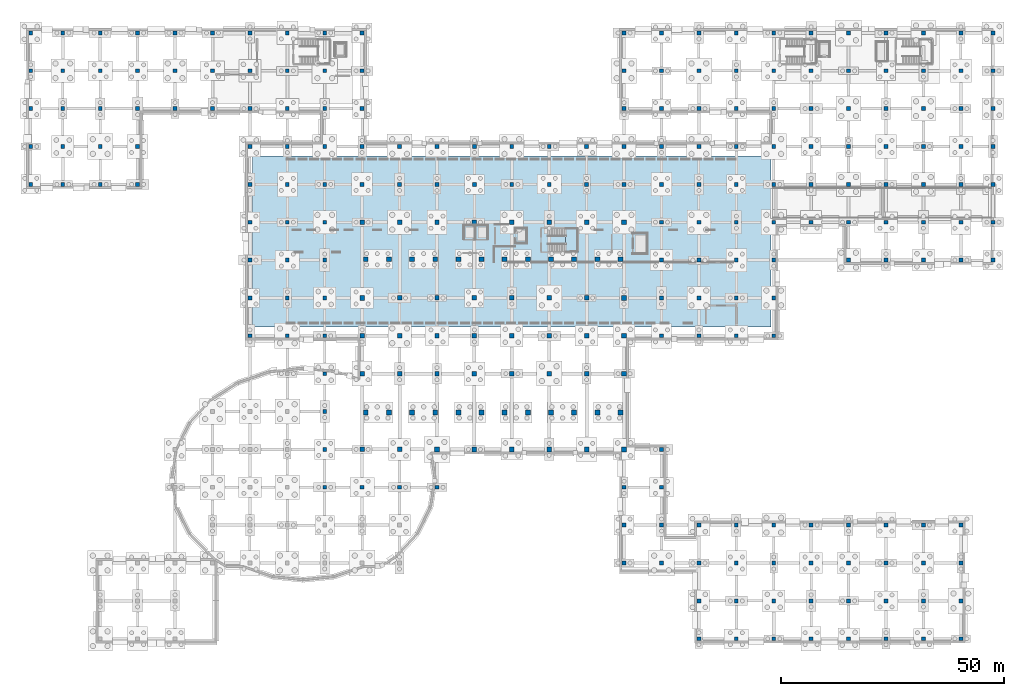
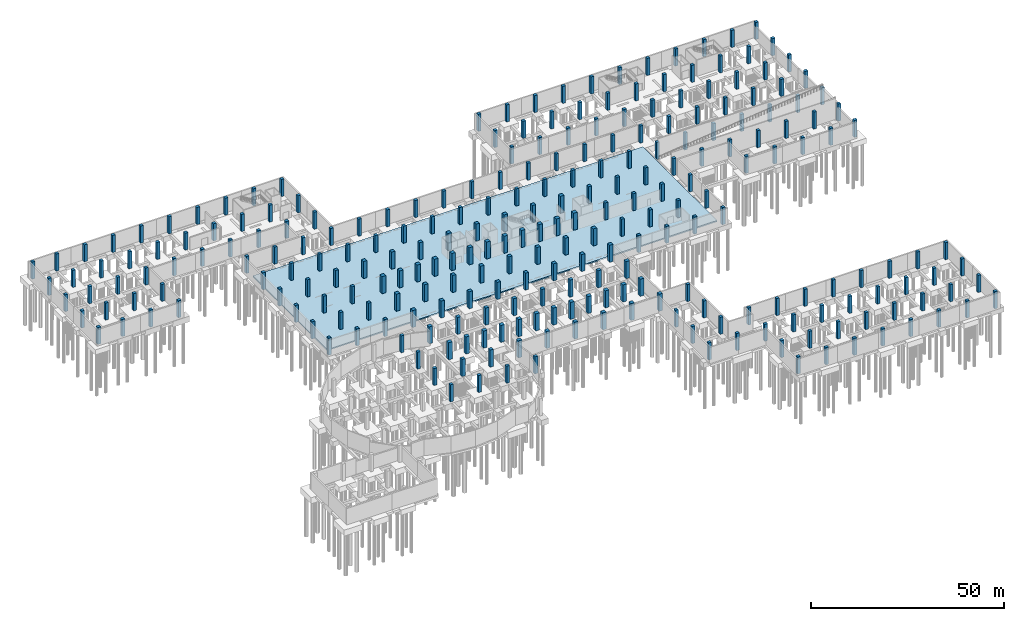
# One storey, part 23 of 34: 262 columns, 2 slabs, 1 element without a shape of its own.
"""IFC4 building model written with IfcOpenShell, lengths in metres."""

from ifc_helpers import new_model, si_unit, direction, frame, origin, origin_2d, place, context, subcontext, project, spatial, polyline, rectangle, outline, extrude, material, layer, layer_set, material_profile, profile_set, type_object, element, aggregate, save


model = new_model("IFC4")

# Units and contexts
model_context = context("Model", 3, precision=1e-05, world=origin(), true_north=direction((0.0, 1.0)))
body_context = subcontext(model_context, "Body", "Model", "MODEL_VIEW")
ifc_project = project(units=[si_unit("LENGTHUNIT", "METRE"), si_unit("AREAUNIT", "SQUARE_METRE"), si_unit("VOLUMEUNIT", "CUBIC_METRE"), si_unit("PLANEANGLEUNIT", "RADIAN"), si_unit("MASSUNIT", "GRAM", prefix="KILO")], contexts=[model_context])

# Site, building, storey
site_placement = place(None, origin())
site = spatial("IfcSite", under=ifc_project, at=site_placement, CompositionType="ELEMENT")
building_placement = place(site_placement, origin())
building = spatial("IfcBuilding", under=site, at=building_placement, Name="Solvento Point Concert Hall", CompositionType="ELEMENT")
storey_placement = place(building_placement, frame((0.0, 0.0, -5.39990234375)))
storey = spatial("IfcBuildingStorey", under=building, at=storey_placement, Name="B01", CompositionType="ELEMENT", Elevation=-5.39990234375)

# Columns
ifc_material_1 = material(Name="Concrete C40/50", Category="concrete")
ifc_material_profile_1 = material_profile(ifc_material_1, rectangle(XDim=1.0, YDim=1.0, at=origin_2d()), Name="RC-COL-1000X1000")
ifc_profile_set_1 = profile_set([ifc_material_profile_1], Name="Concrete C40/50")
column_type_1 = type_object("IfcColumnType", Name="Col_RC_1000", PredefinedType="COLUMN", material=ifc_profile_set_1)
for number, where, z_axis, x_axis, name in (
    (1, (74.39990234375, 42.5, 0.0), (0.0, 0.0, 1.0), (1.0, 0.0, 0.0), "Column C-61 10/F B01"),
    (2, (82.800048828125, 42.5, 0.0), (0.0, 0.0, 1.0), (1.0, 0.0, 0.0), "Column C-61 11/F B01"),
    (3, (82.800048828125, 59.5, 0.0), (0.0, 0.0, 1.0), (1.0, 0.0, 0.0), "Column C-61 11/H B01"),
    (4, (82.800048828125, 68.0, 0.0), (0.0, 0.0, 1.0), (1.0, 0.0, 0.0), "Column C-61 11/J B01"),
    (5, (82.800048828125, 76.5, 0.0), (0.0, 0.0, 1.0), (1.0, 0.0, 0.0), "Column C-61 11/K B01"),
    (6, (82.800048828125, 93.5, 0.0), (0.0, 0.0, 1.0), (1.0, 0.0, 0.0), "Column C-61 11/M B01"),
    (7, (91.199951171875, 59.5, 0.0), (0.0, 0.0, 1.0), (1.0, 0.0, 0.0), "Column C-61 12/H B01"),
    (8, (91.199951171875, 68.0, 0.0), (0.0, 0.0, 1.0), (1.0, 0.0, 0.0), "Column C-61 12/J B01"),
    (9, (91.199951171875, 76.5, 0.0), (0.0, 0.0, 1.0), (1.0, 0.0, 0.0), "Column C-61 12/K B01"),
    (10, (91.199951171875, 93.5, 0.0), (0.0, 0.0, 1.0), (1.0, 0.0, 0.0), "Column C-61 12/M B01"),
    (11, (99.60009765625, 59.5, 0.0), (0.0, 0.0, 1.0), (1.0, 0.0, 0.0), "Column C-61 13/H B01"),
    (12, (99.60009765625, 68.0, 0.0), (0.0, 0.0, 1.0), (1.0, 0.0, 0.0), "Column C-61 13/J B01"),
    (13, (99.60009765625, 76.5, 0.0), (0.0, 0.0, 1.0), (1.0, 0.0, 0.0), "Column C-61 13/K B01"),
    (14, (108.0, 59.5, 0.0), (0.0, 0.0, 1.0), (1.0, 0.0, 0.0), "Column C-61 14/H B01"),
    (15, (108.0, 68.0, 0.0), (0.0, 0.0, 1.0), (1.0, 0.0, 0.0), "Column C-61 14/J B01"),
    (16, (108.0, 76.5, 0.0), (0.0, 0.0, 1.0), (1.0, 0.0, 0.0), "Column C-61 14/K B01"),
    (17, (108.0, 93.5, 0.0), (0.0, 0.0, 1.0), (1.0, 0.0, 0.0), "Column C-61 14/M B01"),
    (18, (116.39990234375, 59.5, 0.0), (0.0, 0.0, 1.0), (1.0, 0.0, 0.0), "Column C-61 15/H B01"),
    (19, (116.39990234375, 68.0, 0.0), (0.0, 0.0, 1.0), (1.0, 0.0, 0.0), "Column C-61 15/J B01"),
    (20, (116.39990234375, 76.5, 0.0), (0.0, 0.0, 1.0), (1.0, 0.0, 0.0), "Column C-61 15/K B01"),
    (21, (116.39990234375, 93.5, 0.0), (0.0, 0.0, 1.0), (1.0, 0.0, 0.0), "Column C-61 15/M B01"),
    (22, (124.800048828125, 59.5, 0.0), (0.0, 0.0, 1.0), (1.0, 0.0, 0.0), "Column C-61 16/H B01"),
    (23, (124.800048828125, 68.0, 0.0), (0.0, 0.0, 1.0), (1.0, 0.0, 0.0), "Column C-61 16/J B01"),
    (24, (124.800048828125, 76.5, 0.0), (0.0, 0.0, 1.0), (1.0, 0.0, 0.0), "Column C-61 16/K B01"),
    (25, (124.800048828125, 93.5, 0.0), (0.0, 0.0, 1.0), (1.0, 0.0, 0.0), "Column C-61 16/M B01"),
):
    element("IfcColumn", number, at=place(storey_placement, frame(where, z_axis=z_axis, x_axis=x_axis)), inside=storey, type_object=column_type_1, Name=name, PredefinedType="COLUMN", context=body_context, shape_type="SweptSolid", body=[
        extrude(rectangle(XDim=1.0, YDim=1.0, at=origin_2d()), origin(), (0.0, 0.0, 1.0), 5.39990234375),
    ])
ifc_material_2 = material(Name="Concrete C40/50", Category="concrete")
ifc_material_profile_2 = material_profile(ifc_material_2, rectangle(XDim=1.050048828125, YDim=1.050048828125, at=origin_2d()), Name="RC-COL-1050X1050")
ifc_profile_set_2 = profile_set([ifc_material_profile_2], Name="Concrete C40/50")
column_type_2 = type_object("IfcColumnType", Name="Col_RC_1050", PredefinedType="COLUMN", material=ifc_profile_set_2)
for number, where, z_axis, x_axis, name in (
    (26, (74.39990234375, 59.5, 0.0), (0.0, 0.0, 1.0), (1.0, 0.0, 0.0), "Column C-43 10/H B01"),
    (27, (74.39990234375, 68.0, 0.0), (0.0, 0.0, 1.0), (1.0, 0.0, 0.0), "Column C-43 10/J B01"),
    (28, (74.39990234375, 76.5, 0.0), (0.0, 0.0, 1.0), (1.0, 0.0, 0.0), "Column C-43 10/K B01"),
    (29, (74.39990234375, 93.5, 0.0), (0.0, 0.0, 1.0), (1.0, 0.0, 0.0), "Column C-43 10/M B01"),
    (30, (91.199951171875, 42.5, 0.0), (0.0, 0.0, 1.0), (1.0, 0.0, 0.0), "Column C-43 12/F B01"),
    (31, (99.60009765625, 42.5, 0.0), (0.0, 0.0, 1.0), (1.0, 0.0, 0.0), "Column C-43 13/F B01"),
    (32, (99.60009765625, 93.5, 0.0), (0.0, 0.0, 1.0), (1.0, 0.0, 0.0), "Column C-43 13/M B01"),
    (33, (108.0, 42.5, 0.0), (0.0, 0.0, 1.0), (1.0, 0.0, 0.0), "Column C-43 14/F B01"),
    (34, (116.39990234375, 42.5, 0.0), (0.0, 0.0, 1.0), (1.0, 0.0, 0.0), "Column C-43 15/F B01"),
    (35, (124.800048828125, 42.5, 0.0), (0.0, 0.0, 1.0), (1.0, 0.0, 0.0), "Column C-43 16/F B01"),
    (36, (133.199951171875, 42.5, 0.0), (0.0, 0.0, 1.0), (1.0, 0.0, 0.0), "Column C-43 17/F B01"),
    (37, (133.199951171875, 59.5, 0.0), (0.0, 0.0, 1.0), (1.0, 0.0, 0.0), "Column C-43 17/H B01"),
    (38, (133.199951171875, 68.0, 0.0), (0.0, 0.0, 1.0), (1.0, 0.0, 0.0), "Column C-43 17/J B01"),
    (39, (133.199951171875, 76.5, 0.0), (0.0, 0.0, 1.0), (1.0, 0.0, 0.0), "Column C-43 17/K B01"),
    (40, (133.199951171875, 93.5, 0.0), (0.0, 0.0, 1.0), (1.0, 0.0, 0.0), "Column C-43 17/M B01"),
):
    element("IfcColumn", number, at=place(storey_placement, frame(where, z_axis=z_axis, x_axis=x_axis)), inside=storey, type_object=column_type_2, Name=name, PredefinedType="COLUMN", context=body_context, shape_type="SweptSolid", body=[
        extrude(rectangle(XDim=1.050048828125, YDim=1.050048828125, at=origin_2d()), origin(), (0.0, 0.0, 1.0), 5.39990234375),
    ])
ifc_material_3 = material(Name="Concrete C40/50", Category="concrete")
ifc_material_profile_3 = material_profile(ifc_material_3, rectangle(XDim=1.10009765625, YDim=1.10009765625, at=origin_2d()), Name="RC-COL-1100X1100")
ifc_profile_set_3 = profile_set([ifc_material_profile_3], Name="Concrete C40/50")
column_type_3 = type_object("IfcColumnType", Name="Col_RC_1100", PredefinedType="COLUMN", material=ifc_profile_set_3)
for number, where, z_axis, x_axis, name in (
    (41, (75.199951171875, 50.800048828125, 0.0), (0.0, 0.0, 1.0), (1.0, 0.0, 0.0), "Symphonic drum column C-12 DS01 B01"),
    (42, (75.199951171875, 85.199951171875, 0.0), (0.0, 0.0, 1.0), (1.0, 0.0, 0.0), "Symphonic drum column C-12 DN01 B01"),
    (43, (80.39990234375, 50.800048828125, 0.0), (0.0, 0.0, 1.0), (1.0, 0.0, 0.0), "Symphonic drum column C-12 DS02 B01"),
    (44, (80.39990234375, 85.199951171875, 0.0), (0.0, 0.0, 1.0), (1.0, 0.0, 0.0), "Symphonic drum column C-12 DN02 B01"),
    (45, (85.60009765625, 50.800048828125, 0.0), (0.0, 0.0, 1.0), (1.0, 0.0, 0.0), "Symphonic drum column C-12 DS03 B01"),
    (46, (85.60009765625, 85.199951171875, 0.0), (0.0, 0.0, 1.0), (1.0, 0.0, 0.0), "Symphonic drum column C-12 DN03 B01"),
    (47, (90.800048828125, 50.800048828125, 0.0), (0.0, 0.0, 1.0), (1.0, 0.0, 0.0), "Symphonic drum column C-12 DS04 B01"),
    (48, (90.800048828125, 85.199951171875, 0.0), (0.0, 0.0, 1.0), (1.0, 0.0, 0.0), "Symphonic drum column C-12 DN04 B01"),
    (49, (96.0, 50.800048828125, 0.0), (0.0, 0.0, 1.0), (1.0, 0.0, 0.0), "Symphonic drum column C-12 DS05 B01"),
    (50, (96.0, 85.199951171875, 0.0), (0.0, 0.0, 1.0), (1.0, 0.0, 0.0), "Symphonic drum column C-12 DN05 B01"),
    (51, (101.199951171875, 50.800048828125, 0.0), (0.0, 0.0, 1.0), (1.0, 0.0, 0.0), "Symphonic drum column C-12 DS06 B01"),
    (52, (101.199951171875, 85.199951171875, 0.0), (0.0, 0.0, 1.0), (1.0, 0.0, 0.0), "Symphonic drum column C-12 DN06 B01"),
    (53, (106.39990234375, 50.800048828125, 0.0), (0.0, 0.0, 1.0), (1.0, 0.0, 0.0), "Symphonic drum column C-12 DS07 B01"),
    (54, (106.39990234375, 85.199951171875, 0.0), (0.0, 0.0, 1.0), (1.0, 0.0, 0.0), "Symphonic drum column C-12 DN07 B01"),
    (55, (111.60009765625, 50.800048828125, 0.0), (0.0, 0.0, 1.0), (1.0, 0.0, 0.0), "Symphonic drum column C-12 DS08 B01"),
    (56, (111.60009765625, 85.199951171875, 0.0), (0.0, 0.0, 1.0), (1.0, 0.0, 0.0), "Symphonic drum column C-12 DN08 B01"),
    (57, (116.800048828125, 50.800048828125, 0.0), (0.0, 0.0, 1.0), (1.0, 0.0, 0.0), "Symphonic drum column C-12 DS09 B01"),
    (58, (116.800048828125, 85.199951171875, 0.0), (0.0, 0.0, 1.0), (1.0, 0.0, 0.0), "Symphonic drum column C-12 DN09 B01"),
    (59, (122.0, 50.800048828125, 0.0), (0.0, 0.0, 1.0), (1.0, 0.0, 0.0), "Symphonic drum column C-12 DS10 B01"),
    (60, (122.0, 85.199951171875, 0.0), (0.0, 0.0, 1.0), (1.0, 0.0, 0.0), "Symphonic drum column C-12 DN10 B01"),
    (61, (127.199951171875, 50.800048828125, 0.0), (0.0, 0.0, 1.0), (1.0, 0.0, 0.0), "Symphonic drum column C-12 DS11 B01"),
    (62, (127.199951171875, 85.199951171875, 0.0), (0.0, 0.0, 1.0), (1.0, 0.0, 0.0), "Symphonic drum column C-12 DN11 B01"),
    (63, (132.39990234375, 50.800048828125, 0.0), (0.0, 0.0, 1.0), (1.0, 0.0, 0.0), "Symphonic drum column C-12 DS12 B01"),
    (64, (132.39990234375, 85.199951171875, 0.0), (0.0, 0.0, 1.0), (1.0, 0.0, 0.0), "Symphonic drum column C-12 DN12 B01"),
):
    element("IfcColumn", number, at=place(storey_placement, frame(where, z_axis=z_axis, x_axis=x_axis)), inside=storey, type_object=column_type_3, Name=name, PredefinedType="COLUMN", context=body_context, shape_type="SweptSolid", body=[
        extrude(rectangle(XDim=1.10009765625, YDim=1.10009765625, at=origin_2d()), origin(), (0.0, 0.0, 1.0), 5.39990234375),
    ])
ifc_material_4 = material(Name="Concrete C40/50", Category="concrete")
ifc_material_profile_4 = material_profile(ifc_material_4, rectangle(XDim=0.860107421875, YDim=0.860107421875, at=origin_2d()), Name="RC-COL-860X860")
ifc_profile_set_4 = profile_set([ifc_material_profile_4], Name="Concrete C40/50")
column_type_4 = type_object("IfcColumnType", Name="Col_RC_860", PredefinedType="COLUMN", material=ifc_profile_set_4)
for number, where, z_axis, x_axis, name in (
    (65, (0.0, 102.0, 0.0), (0.0, 0.0, 1.0), (1.0, 0.0, 0.0), "Column C-68 01/N B01"),
    (66, (0.0, 110.5, 0.0), (0.0, 0.0, 1.0), (1.0, 0.0, 0.0), "Column C-68 01/P B01"),
    (67, (0.0, 119.0, 0.0), (0.0, 0.0, 1.0), (1.0, 0.0, 0.0), "Column C-68 01/Q B01"),
    (68, (0.0, 127.5, 0.0), (0.0, 0.0, 1.0), (1.0, 0.0, 0.0), "Column C-68 01/R B01"),
    (69, (0.0, 136.0, 0.0), (0.0, 0.0, 1.0), (1.0, 0.0, 0.0), "Column C-68 01/S B01"),
    (70, (7.199951171875, 102.0, 0.0), (0.0, 0.0, 1.0), (1.0, 0.0, 0.0), "Column C-68 02/N B01"),
    (71, (7.199951171875, 110.5, 0.0), (0.0, 0.0, 1.0), (1.0, 0.0, 0.0), "Column C-68 02/P B01"),
    (72, (7.199951171875, 119.0, 0.0), (0.0, 0.0, 1.0), (1.0, 0.0, 0.0), "Column C-68 02/Q B01"),
    (73, (7.199951171875, 127.5, 0.0), (0.0, 0.0, 1.0), (1.0, 0.0, 0.0), "Column C-68 02/R B01"),
    (74, (7.199951171875, 136.0, 0.0), (0.0, 0.0, 1.0), (1.0, 0.0, 0.0), "Column C-68 02/S B01"),
    (75, (15.60009765625, 102.0, 0.0), (0.0, 0.0, 1.0), (1.0, 0.0, 0.0), "Column C-68 03/N B01"),
    (76, (15.60009765625, 110.5, 0.0), (0.0, 0.0, 1.0), (1.0, 0.0, 0.0), "Column C-68 03/P B01"),
    (77, (15.60009765625, 119.0, 0.0), (0.0, 0.0, 1.0), (1.0, 0.0, 0.0), "Column C-68 03/Q B01"),
    (78, (15.60009765625, 127.5, 0.0), (0.0, 0.0, 1.0), (1.0, 0.0, 0.0), "Column C-68 03/R B01"),
    (79, (15.60009765625, 136.0, 0.0), (0.0, 0.0, 1.0), (1.0, 0.0, 0.0), "Column C-68 03/S B01"),
    (80, (24.0, 102.0, 0.0), (0.0, 0.0, 1.0), (1.0, 0.0, 0.0), "Column C-68 04/N B01"),
    (81, (24.0, 110.5, 0.0), (0.0, 0.0, 1.0), (1.0, 0.0, 0.0), "Column C-68 04/P B01"),
    (82, (24.0, 119.0, 0.0), (0.0, 0.0, 1.0), (1.0, 0.0, 0.0), "Column C-68 04/Q B01"),
    (83, (24.0, 127.5, 0.0), (0.0, 0.0, 1.0), (1.0, 0.0, 0.0), "Column C-68 04/R B01"),
    (84, (24.0, 136.0, 0.0), (0.0, 0.0, 1.0), (1.0, 0.0, 0.0), "Column C-68 04/S B01"),
    (85, (32.39990234375, 119.0, 0.0), (0.0, 0.0, 1.0), (1.0, 0.0, 0.0), "Column C-68 05/Q B01"),
    (86, (32.39990234375, 127.5, 0.0), (0.0, 0.0, 1.0), (1.0, 0.0, 0.0), "Column C-68 05/R B01"),
    (87, (32.39990234375, 136.0, 0.0), (0.0, 0.0, 1.0), (1.0, 0.0, 0.0), "Column C-68 05/S B01"),
    (88, (40.800048828125, 119.0, 0.0), (0.0, 0.0, 1.0), (1.0, 0.0, 0.0), "Column C-68 06/Q B01"),
    (89, (40.800048828125, 127.5, 0.0), (0.0, 0.0, 1.0), (1.0, 0.0, 0.0), "Column C-68 06/R B01"),
    (90, (40.800048828125, 136.0, 0.0), (0.0, 0.0, 1.0), (1.0, 0.0, 0.0), "Column C-68 06/S B01"),
    (91, (49.199951171875, 68.0, 0.0), (0.0, 0.0, 1.0), (1.0, 0.0, 0.0), "Column C-68 07/J B01"),
    (92, (49.199951171875, 76.5, 0.0), (0.0, 0.0, 1.0), (1.0, 0.0, 0.0), "Column C-68 07/K B01"),
    (93, (49.199951171875, 85.0, 0.0), (0.0, 0.0, 1.0), (1.0, 0.0, 0.0), "Column C-68 07/L B01"),
    (94, (49.199951171875, 93.5, 0.0), (0.0, 0.0, 1.0), (1.0, 0.0, 0.0), "Column C-68 07/M B01"),
    (95, (49.199951171875, 102.0, 0.0), (0.0, 0.0, 1.0), (1.0, 0.0, 0.0), "Column C-68 07/N B01"),
    (96, (49.199951171875, 110.5, 0.0), (0.0, 0.0, 1.0), (1.0, 0.0, 0.0), "Column C-68 07/P B01"),
    (97, (49.199951171875, 119.0, 0.0), (0.0, 0.0, 1.0), (1.0, 0.0, 0.0), "Column C-68 07/Q B01"),
    (98, (49.199951171875, 127.5, 0.0), (0.0, 0.0, 1.0), (1.0, 0.0, 0.0), "Column C-68 07/R B01"),
    (99, (49.199951171875, 136.0, 0.0), (0.0, 0.0, 1.0), (1.0, 0.0, 0.0), "Column C-68 07/S B01"),
    (100, (57.60009765625, 68.0, 0.0), (0.0, 0.0, 1.0), (1.0, 0.0, 0.0), "Column C-68 08/J B01"),
    (101, (57.60009765625, 76.5, 0.0), (0.0, 0.0, 1.0), (1.0, 0.0, 0.0), "Column C-68 08/K B01"),
    (102, (57.60009765625, 85.0, 0.0), (0.0, 0.0, 1.0), (1.0, 0.0, 0.0), "Column C-68 08/L B01"),
    (103, (57.60009765625, 93.5, 0.0), (0.0, 0.0, 1.0), (1.0, 0.0, 0.0), "Column C-68 08/M B01"),
    (104, (57.60009765625, 102.0, 0.0), (0.0, 0.0, 1.0), (1.0, 0.0, 0.0), "Column C-68 08/N B01"),
    (105, (57.60009765625, 110.5, 0.0), (0.0, 0.0, 1.0), (1.0, 0.0, 0.0), "Column C-68 08/P B01"),
    (106, (57.60009765625, 119.0, 0.0), (0.0, 0.0, 1.0), (1.0, 0.0, 0.0), "Column C-68 08/Q B01"),
    (107, (57.60009765625, 127.5, 0.0), (0.0, 0.0, 1.0), (1.0, 0.0, 0.0), "Column C-68 08/R B01"),
    (108, (57.60009765625, 136.0, 0.0), (0.0, 0.0, 1.0), (1.0, 0.0, 0.0), "Column C-68 08/S B01"),
    (109, (66.0, 34.0, 0.0), (0.0, 0.0, 1.0), (1.0, 0.0, 0.0), "Column C-68 09/E B01"),
    (110, (66.0, 42.5, 0.0), (0.0, 0.0, 1.0), (1.0, 0.0, 0.0), "Column C-68 09/F B01"),
    (111, (66.0, 51.0, 0.0), (0.0, 0.0, 1.0), (1.0, 0.0, 0.0), "Column C-68 09/G B01"),
    (112, (66.0, 59.5, 0.0), (0.0, 0.0, 1.0), (1.0, 0.0, 0.0), "Column C-68 09/H B01"),
    (113, (66.0, 68.0, 0.0), (0.0, 0.0, 1.0), (1.0, 0.0, 0.0), "Column C-68 09/J B01"),
    (114, (66.0, 76.5, 0.0), (0.0, 0.0, 1.0), (1.0, 0.0, 0.0), "Column C-68 09/K B01"),
    (115, (66.0, 85.0, 0.0), (0.0, 0.0, 1.0), (1.0, 0.0, 0.0), "Column C-68 09/L B01"),
    (116, (66.0, 93.5, 0.0), (0.0, 0.0, 1.0), (1.0, 0.0, 0.0), "Column C-68 09/M B01"),
    (117, (66.0, 102.0, 0.0), (0.0, 0.0, 1.0), (1.0, 0.0, 0.0), "Column C-68 09/N B01"),
    (118, (66.0, 110.5, 0.0), (0.0, 0.0, 1.0), (1.0, 0.0, 0.0), "Column C-68 09/P B01"),
    (119, (66.0, 119.0, 0.0), (0.0, 0.0, 1.0), (1.0, 0.0, 0.0), "Column C-68 09/Q B01"),
    (120, (66.0, 127.5, 0.0), (0.0, 0.0, 1.0), (1.0, 0.0, 0.0), "Column C-68 09/R B01"),
    (121, (66.0, 136.0, 0.0), (0.0, 0.0, 1.0), (1.0, 0.0, 0.0), "Column C-68 09/S B01"),
    (122, (74.39990234375, 34.0, 0.0), (0.0, 0.0, 1.0), (1.0, 0.0, 0.0), "Column C-68 10/E B01"),
    (123, (74.39990234375, 102.0, 0.0), (0.0, 0.0, 1.0), (1.0, 0.0, 0.0), "Column C-68 10/N B01"),
    (124, (74.39990234375, 110.5, 0.0), (0.0, 0.0, 1.0), (1.0, 0.0, 0.0), "Column C-68 10/P B01"),
    (125, (74.39990234375, 119.0, 0.0), (0.0, 0.0, 1.0), (1.0, 0.0, 0.0), "Column C-68 10/Q B01"),
    (126, (74.39990234375, 127.5, 0.0), (0.0, 0.0, 1.0), (1.0, 0.0, 0.0), "Column C-68 10/R B01"),
    (127, (74.39990234375, 136.0, 0.0), (0.0, 0.0, 1.0), (1.0, 0.0, 0.0), "Column C-68 10/S B01"),
    (128, (82.800048828125, 34.0, 0.0), (0.0, 0.0, 1.0), (1.0, 0.0, 0.0), "Column C-68 11/E B01"),
    (129, (82.800048828125, 102.0, 0.0), (0.0, 0.0, 1.0), (1.0, 0.0, 0.0), "Column C-68 11/N B01"),
    (130, (82.800048828125, 110.5, 0.0), (0.0, 0.0, 1.0), (1.0, 0.0, 0.0), "Column C-68 11/P B01"),
    (131, (91.199951171875, 34.0, 0.0), (0.0, 0.0, 1.0), (1.0, 0.0, 0.0), "Column C-68 12/E B01"),
    (132, (91.199951171875, 102.0, 0.0), (0.0, 0.0, 1.0), (1.0, 0.0, 0.0), "Column C-68 12/N B01"),
    (133, (91.199951171875, 110.5, 0.0), (0.0, 0.0, 1.0), (1.0, 0.0, 0.0), "Column C-68 12/P B01"),
    (134, (99.60009765625, 102.0, 0.0), (0.0, 0.0, 1.0), (1.0, 0.0, 0.0), "Column C-68 13/N B01"),
    (135, (99.60009765625, 110.5, 0.0), (0.0, 0.0, 1.0), (1.0, 0.0, 0.0), "Column C-68 13/P B01"),
    (136, (108.0, 102.0, 0.0), (0.0, 0.0, 1.0), (1.0, 0.0, 0.0), "Column C-68 14/N B01"),
    (137, (108.0, 110.5, 0.0), (0.0, 0.0, 1.0), (1.0, 0.0, 0.0), "Column C-68 14/P B01"),
    (138, (116.39990234375, 102.0, 0.0), (0.0, 0.0, 1.0), (1.0, 0.0, 0.0), "Column C-68 15/N B01"),
    (139, (116.39990234375, 110.5, 0.0), (0.0, 0.0, 1.0), (1.0, 0.0, 0.0), "Column C-68 15/P B01"),
    (140, (124.800048828125, 102.0, 0.0), (0.0, 0.0, 1.0), (1.0, 0.0, 0.0), "Column C-68 16/N B01"),
    (141, (124.800048828125, 110.5, 0.0), (0.0, 0.0, 1.0), (1.0, 0.0, 0.0), "Column C-68 16/P B01"),
    (142, (133.199951171875, 17.0, 0.0), (0.0, 0.0, 1.0), (1.0, 0.0, 0.0), "Column C-68 17/C B01"),
    (143, (133.199951171875, 25.5, 0.0), (0.0, 0.0, 1.0), (1.0, 0.0, 0.0), "Column C-68 17/D B01"),
    (144, (133.199951171875, 34.0, 0.0), (0.0, 0.0, 1.0), (1.0, 0.0, 0.0), "Column C-68 17/E B01"),
    (145, (133.199951171875, 102.0, 0.0), (0.0, 0.0, 1.0), (1.0, 0.0, 0.0), "Column C-68 17/N B01"),
    (146, (133.199951171875, 110.5, 0.0), (0.0, 0.0, 1.0), (1.0, 0.0, 0.0), "Column C-68 17/P B01"),
    (147, (133.199951171875, 119.0, 0.0), (0.0, 0.0, 1.0), (1.0, 0.0, 0.0), "Column C-68 17/Q B01"),
    (148, (133.199951171875, 127.5, 0.0), (0.0, 0.0, 1.0), (1.0, 0.0, 0.0), "Column C-68 17/R B01"),
    (149, (133.199951171875, 136.0, 0.0), (0.0, 0.0, 1.0), (1.0, 0.0, 0.0), "Column C-68 17/S B01"),
    (150, (141.60009765625, 17.0, 0.0), (0.0, 0.0, 1.0), (1.0, 0.0, 0.0), "Column C-68 18/C B01"),
    (151, (141.60009765625, 25.5, 0.0), (0.0, 0.0, 1.0), (1.0, 0.0, 0.0), "Column C-68 18/D B01"),
    (152, (141.60009765625, 34.0, 0.0), (0.0, 0.0, 1.0), (1.0, 0.0, 0.0), "Column C-68 18/E B01"),
    (153, (141.60009765625, 42.5, 0.0), (0.0, 0.0, 1.0), (1.0, 0.0, 0.0), "Column C-68 18/F B01"),
    (154, (141.60009765625, 68.0, 0.0), (0.0, 0.0, 1.0), (1.0, 0.0, 0.0), "Column C-68 18/J B01"),
    (155, (141.60009765625, 76.5, 0.0), (0.0, 0.0, 1.0), (1.0, 0.0, 0.0), "Column C-68 18/K B01"),
    (156, (141.60009765625, 85.0, 0.0), (0.0, 0.0, 1.0), (1.0, 0.0, 0.0), "Column C-68 18/L B01"),
    (157, (141.60009765625, 93.5, 0.0), (0.0, 0.0, 1.0), (1.0, 0.0, 0.0), "Column C-68 18/M B01"),
    (158, (141.60009765625, 102.0, 0.0), (0.0, 0.0, 1.0), (1.0, 0.0, 0.0), "Column C-68 18/N B01"),
    (159, (141.60009765625, 110.5, 0.0), (0.0, 0.0, 1.0), (1.0, 0.0, 0.0), "Column C-68 18/P B01"),
    (160, (141.60009765625, 119.0, 0.0), (0.0, 0.0, 1.0), (1.0, 0.0, 0.0), "Column C-68 18/Q B01"),
    (161, (141.60009765625, 127.5, 0.0), (0.0, 0.0, 1.0), (1.0, 0.0, 0.0), "Column C-68 18/R B01"),
    (162, (141.60009765625, 136.0, 0.0), (0.0, 0.0, 1.0), (1.0, 0.0, 0.0), "Column C-68 18/S B01"),
    (163, (150.0, 0.0, 0.0), (0.0, 0.0, 1.0), (1.0, 0.0, 0.0), "Column C-68 19/A B01"),
    (164, (150.0, 8.5, 0.0), (0.0, 0.0, 1.0), (1.0, 0.0, 0.0), "Column C-68 19/B B01"),
    (165, (150.0, 17.0, 0.0), (0.0, 0.0, 1.0), (1.0, 0.0, 0.0), "Column C-68 19/C B01"),
    (166, (150.0, 25.5, 0.0), (0.0, 0.0, 1.0), (1.0, 0.0, 0.0), "Column C-68 19/D B01"),
    (167, (150.0, 68.0, 0.0), (0.0, 0.0, 1.0), (1.0, 0.0, 0.0), "Column C-68 19/J B01"),
    (168, (150.0, 76.5, 0.0), (0.0, 0.0, 1.0), (1.0, 0.0, 0.0), "Column C-68 19/K B01"),
    (169, (150.0, 85.0, 0.0), (0.0, 0.0, 1.0), (1.0, 0.0, 0.0), "Column C-68 19/L B01"),
    (170, (150.0, 93.5, 0.0), (0.0, 0.0, 1.0), (1.0, 0.0, 0.0), "Column C-68 19/M B01"),
    (171, (150.0, 102.0, 0.0), (0.0, 0.0, 1.0), (1.0, 0.0, 0.0), "Column C-68 19/N B01"),
    (172, (150.0, 110.5, 0.0), (0.0, 0.0, 1.0), (1.0, 0.0, 0.0), "Column C-68 19/P B01"),
    (173, (150.0, 119.0, 0.0), (0.0, 0.0, 1.0), (1.0, 0.0, 0.0), "Column C-68 19/Q B01"),
    (174, (150.0, 127.5, 0.0), (0.0, 0.0, 1.0), (1.0, 0.0, 0.0), "Column C-68 19/R B01"),
    (175, (150.0, 136.0, 0.0), (0.0, 0.0, 1.0), (1.0, 0.0, 0.0), "Column C-68 19/S B01"),
    (176, (158.39990234375, 0.0, 0.0), (0.0, 0.0, 1.0), (1.0, 0.0, 0.0), "Column C-68 20/A B01"),
    (177, (158.39990234375, 8.5, 0.0), (0.0, 0.0, 1.0), (1.0, 0.0, 0.0), "Column C-68 20/B B01"),
    (178, (158.39990234375, 17.0, 0.0), (0.0, 0.0, 1.0), (1.0, 0.0, 0.0), "Column C-68 20/C B01"),
    (179, (158.39990234375, 25.5, 0.0), (0.0, 0.0, 1.0), (1.0, 0.0, 0.0), "Column C-68 20/D B01"),
    (180, (158.39990234375, 68.0, 0.0), (0.0, 0.0, 1.0), (1.0, 0.0, 0.0), "Column C-68 20/J B01"),
    (181, (158.39990234375, 76.5, 0.0), (0.0, 0.0, 1.0), (1.0, 0.0, 0.0), "Column C-68 20/K B01"),
    (182, (158.39990234375, 85.0, 0.0), (0.0, 0.0, 1.0), (1.0, 0.0, 0.0), "Column C-68 20/L B01"),
    (183, (158.39990234375, 93.5, 0.0), (0.0, 0.0, 1.0), (1.0, 0.0, 0.0), "Column C-68 20/M B01"),
    (184, (158.39990234375, 102.0, 0.0), (0.0, 0.0, 1.0), (1.0, 0.0, 0.0), "Column C-68 20/N B01"),
    (185, (158.39990234375, 110.5, 0.0), (0.0, 0.0, 1.0), (1.0, 0.0, 0.0), "Column C-68 20/P B01"),
    (186, (158.39990234375, 119.0, 0.0), (0.0, 0.0, 1.0), (1.0, 0.0, 0.0), "Column C-68 20/Q B01"),
    (187, (158.39990234375, 127.5, 0.0), (0.0, 0.0, 1.0), (1.0, 0.0, 0.0), "Column C-68 20/R B01"),
    (188, (158.39990234375, 136.0, 0.0), (0.0, 0.0, 1.0), (1.0, 0.0, 0.0), "Column C-68 20/S B01"),
    (189, (166.800048828125, 0.0, 0.0), (0.0, 0.0, 1.0), (1.0, 0.0, 0.0), "Column C-68 21/A B01"),
    (190, (166.800048828125, 8.5, 0.0), (0.0, 0.0, 1.0), (1.0, 0.0, 0.0), "Column C-68 21/B B01"),
    (191, (166.800048828125, 17.0, 0.0), (0.0, 0.0, 1.0), (1.0, 0.0, 0.0), "Column C-68 21/C B01"),
    (192, (166.800048828125, 25.5, 0.0), (0.0, 0.0, 1.0), (1.0, 0.0, 0.0), "Column C-68 21/D B01"),
    (193, (166.800048828125, 68.0, 0.0), (0.0, 0.0, 1.0), (1.0, 0.0, 0.0), "Column C-68 21/J B01"),
    (194, (166.800048828125, 76.5, 0.0), (0.0, 0.0, 1.0), (1.0, 0.0, 0.0), "Column C-68 21/K B01"),
    (195, (166.800048828125, 85.0, 0.0), (0.0, 0.0, 1.0), (1.0, 0.0, 0.0), "Column C-68 21/L B01"),
    (196, (166.800048828125, 93.5, 0.0), (0.0, 0.0, 1.0), (1.0, 0.0, 0.0), "Column C-68 21/M B01"),
    (197, (166.800048828125, 102.0, 0.0), (0.0, 0.0, 1.0), (1.0, 0.0, 0.0), "Column C-68 21/N B01"),
    (198, (166.800048828125, 110.5, 0.0), (0.0, 0.0, 1.0), (1.0, 0.0, 0.0), "Column C-68 21/P B01"),
    (199, (166.800048828125, 119.0, 0.0), (0.0, 0.0, 1.0), (1.0, 0.0, 0.0), "Column C-68 21/Q B01"),
    (200, (166.800048828125, 127.5, 0.0), (0.0, 0.0, 1.0), (1.0, 0.0, 0.0), "Column C-68 21/R B01"),
    (201, (166.800048828125, 136.0, 0.0), (0.0, 0.0, 1.0), (1.0, 0.0, 0.0), "Column C-68 21/S B01"),
    (202, (175.199951171875, 0.0, 0.0), (0.0, 0.0, 1.0), (1.0, 0.0, 0.0), "Column C-68 22/A B01"),
    (203, (175.199951171875, 8.5, 0.0), (0.0, 0.0, 1.0), (1.0, 0.0, 0.0), "Column C-68 22/B B01"),
    (204, (175.199951171875, 17.0, 0.0), (0.0, 0.0, 1.0), (1.0, 0.0, 0.0), "Column C-68 22/C B01"),
    (205, (175.199951171875, 25.5, 0.0), (0.0, 0.0, 1.0), (1.0, 0.0, 0.0), "Column C-68 22/D B01"),
    (206, (175.199951171875, 93.5, 0.0), (0.0, 0.0, 1.0), (1.0, 0.0, 0.0), "Column C-68 22/M B01"),
    (207, (175.199951171875, 102.0, 0.0), (0.0, 0.0, 1.0), (1.0, 0.0, 0.0), "Column C-68 22/N B01"),
    (208, (175.199951171875, 110.5, 0.0), (0.0, 0.0, 1.0), (1.0, 0.0, 0.0), "Column C-68 22/P B01"),
    (209, (175.199951171875, 119.0, 0.0), (0.0, 0.0, 1.0), (1.0, 0.0, 0.0), "Column C-68 22/Q B01"),
    (210, (175.199951171875, 127.5, 0.0), (0.0, 0.0, 1.0), (1.0, 0.0, 0.0), "Column C-68 22/R B01"),
    (211, (175.199951171875, 136.0, 0.0), (0.0, 0.0, 1.0), (1.0, 0.0, 0.0), "Column C-68 22/S B01"),
    (212, (183.60009765625, 0.0, 0.0), (0.0, 0.0, 1.0), (1.0, 0.0, 0.0), "Column C-68 23/A B01"),
    (213, (183.60009765625, 8.5, 0.0), (0.0, 0.0, 1.0), (1.0, 0.0, 0.0), "Column C-68 23/B B01"),
    (214, (183.60009765625, 17.0, 0.0), (0.0, 0.0, 1.0), (1.0, 0.0, 0.0), "Column C-68 23/C B01"),
    (215, (183.60009765625, 25.5, 0.0), (0.0, 0.0, 1.0), (1.0, 0.0, 0.0), "Column C-68 23/D B01"),
    (216, (183.60009765625, 85.0, 0.0), (0.0, 0.0, 1.0), (1.0, 0.0, 0.0), "Column C-68 23/L B01"),
    (217, (183.60009765625, 93.5, 0.0), (0.0, 0.0, 1.0), (1.0, 0.0, 0.0), "Column C-68 23/M B01"),
    (218, (183.60009765625, 102.0, 0.0), (0.0, 0.0, 1.0), (1.0, 0.0, 0.0), "Column C-68 23/N B01"),
    (219, (183.60009765625, 110.5, 0.0), (0.0, 0.0, 1.0), (1.0, 0.0, 0.0), "Column C-68 23/P B01"),
    (220, (183.60009765625, 119.0, 0.0), (0.0, 0.0, 1.0), (1.0, 0.0, 0.0), "Column C-68 23/Q B01"),
    (221, (183.60009765625, 127.5, 0.0), (0.0, 0.0, 1.0), (1.0, 0.0, 0.0), "Column C-68 23/R B01"),
    (222, (183.60009765625, 136.0, 0.0), (0.0, 0.0, 1.0), (1.0, 0.0, 0.0), "Column C-68 23/S B01"),
    (223, (192.0, 0.0, 0.0), (0.0, 0.0, 1.0), (1.0, 0.0, 0.0), "Column C-68 24/A B01"),
    (224, (192.0, 8.5, 0.0), (0.0, 0.0, 1.0), (1.0, 0.0, 0.0), "Column C-68 24/B B01"),
    (225, (192.0, 17.0, 0.0), (0.0, 0.0, 1.0), (1.0, 0.0, 0.0), "Column C-68 24/C B01"),
    (226, (192.0, 25.5, 0.0), (0.0, 0.0, 1.0), (1.0, 0.0, 0.0), "Column C-68 24/D B01"),
    (227, (192.0, 85.0, 0.0), (0.0, 0.0, 1.0), (1.0, 0.0, 0.0), "Column C-68 24/L B01"),
    (228, (192.0, 93.5, 0.0), (0.0, 0.0, 1.0), (1.0, 0.0, 0.0), "Column C-68 24/M B01"),
    (229, (192.0, 102.0, 0.0), (0.0, 0.0, 1.0), (1.0, 0.0, 0.0), "Column C-68 24/N B01"),
    (230, (192.0, 110.5, 0.0), (0.0, 0.0, 1.0), (1.0, 0.0, 0.0), "Column C-68 24/P B01"),
    (231, (192.0, 119.0, 0.0), (0.0, 0.0, 1.0), (1.0, 0.0, 0.0), "Column C-68 24/Q B01"),
    (232, (192.0, 127.5, 0.0), (0.0, 0.0, 1.0), (1.0, 0.0, 0.0), "Column C-68 24/R B01"),
    (233, (192.0, 136.0, 0.0), (0.0, 0.0, 1.0), (1.0, 0.0, 0.0), "Column C-68 24/S B01"),
    (234, (200.39990234375, 0.0, 0.0), (0.0, 0.0, 1.0), (1.0, 0.0, 0.0), "Column C-68 25/A B01"),
    (235, (200.39990234375, 8.5, 0.0), (0.0, 0.0, 1.0), (1.0, 0.0, 0.0), "Column C-68 25/B B01"),
    (236, (200.39990234375, 17.0, 0.0), (0.0, 0.0, 1.0), (1.0, 0.0, 0.0), "Column C-68 25/C B01"),
    (237, (200.39990234375, 25.5, 0.0), (0.0, 0.0, 1.0), (1.0, 0.0, 0.0), "Column C-68 25/D B01"),
    (238, (200.39990234375, 85.0, 0.0), (0.0, 0.0, 1.0), (1.0, 0.0, 0.0), "Column C-68 25/L B01"),
    (239, (200.39990234375, 93.5, 0.0), (0.0, 0.0, 1.0), (1.0, 0.0, 0.0), "Column C-68 25/M B01"),
    (240, (200.39990234375, 102.0, 0.0), (0.0, 0.0, 1.0), (1.0, 0.0, 0.0), "Column C-68 25/N B01"),
    (241, (200.39990234375, 110.5, 0.0), (0.0, 0.0, 1.0), (1.0, 0.0, 0.0), "Column C-68 25/P B01"),
    (242, (200.39990234375, 119.0, 0.0), (0.0, 0.0, 1.0), (1.0, 0.0, 0.0), "Column C-68 25/Q B01"),
    (243, (200.39990234375, 127.5, 0.0), (0.0, 0.0, 1.0), (1.0, 0.0, 0.0), "Column C-68 25/R B01"),
    (244, (200.39990234375, 136.0, 0.0), (0.0, 0.0, 1.0), (1.0, 0.0, 0.0), "Column C-68 25/S B01"),
    (245, (208.800048828125, 0.0, 0.0), (0.0, 0.0, 1.0), (1.0, 0.0, 0.0), "Column C-68 26/A B01"),
    (246, (208.800048828125, 8.5, 0.0), (0.0, 0.0, 1.0), (1.0, 0.0, 0.0), "Column C-68 26/B B01"),
    (247, (208.800048828125, 17.0, 0.0), (0.0, 0.0, 1.0), (1.0, 0.0, 0.0), "Column C-68 26/C B01"),
    (248, (208.800048828125, 25.5, 0.0), (0.0, 0.0, 1.0), (1.0, 0.0, 0.0), "Column C-68 26/D B01"),
    (249, (208.800048828125, 85.0, 0.0), (0.0, 0.0, 1.0), (1.0, 0.0, 0.0), "Column C-68 26/L B01"),
    (250, (208.800048828125, 93.5, 0.0), (0.0, 0.0, 1.0), (1.0, 0.0, 0.0), "Column C-68 26/M B01"),
    (251, (208.800048828125, 102.0, 0.0), (0.0, 0.0, 1.0), (1.0, 0.0, 0.0), "Column C-68 26/N B01"),
    (252, (208.800048828125, 110.5, 0.0), (0.0, 0.0, 1.0), (1.0, 0.0, 0.0), "Column C-68 26/P B01"),
    (253, (208.800048828125, 119.0, 0.0), (0.0, 0.0, 1.0), (1.0, 0.0, 0.0), "Column C-68 26/Q B01"),
    (254, (208.800048828125, 127.5, 0.0), (0.0, 0.0, 1.0), (1.0, 0.0, 0.0), "Column C-68 26/R B01"),
    (255, (208.800048828125, 136.0, 0.0), (0.0, 0.0, 1.0), (1.0, 0.0, 0.0), "Column C-68 26/S B01"),
    (256, (216.0, 85.0, 0.0), (0.0, 0.0, 1.0), (1.0, 0.0, 0.0), "Column C-68 27/L B01"),
    (257, (216.0, 93.5, 0.0), (0.0, 0.0, 1.0), (1.0, 0.0, 0.0), "Column C-68 27/M B01"),
    (258, (216.0, 102.0, 0.0), (0.0, 0.0, 1.0), (1.0, 0.0, 0.0), "Column C-68 27/N B01"),
    (259, (216.0, 110.5, 0.0), (0.0, 0.0, 1.0), (1.0, 0.0, 0.0), "Column C-68 27/P B01"),
    (260, (216.0, 119.0, 0.0), (0.0, 0.0, 1.0), (1.0, 0.0, 0.0), "Column C-68 27/Q B01"),
    (261, (216.0, 127.5, 0.0), (0.0, 0.0, 1.0), (1.0, 0.0, 0.0), "Column C-68 27/R B01"),
    (262, (216.0, 136.0, 0.0), (0.0, 0.0, 1.0), (1.0, 0.0, 0.0), "Column C-68 27/S B01"),
):
    element("IfcColumn", number, at=place(storey_placement, frame(where, z_axis=z_axis, x_axis=x_axis)), inside=storey, type_object=column_type_4, Name=name, PredefinedType="COLUMN", context=body_context, shape_type="SweptSolid", body=[
        extrude(rectangle(XDim=0.860107421875, YDim=0.860107421875, at=origin_2d()), origin(), (0.0, 0.0, 1.0), 5.39990234375),
    ])

# Slab
ifc_material_5 = material(Name="Concrete C35/45", Category="concrete")
ifc_layer_1 = layer(ifc_material_5, 0.39990234375)
ifc_layer_set_1 = layer_set([ifc_layer_1], Name="Concrete C35/45")
slab_type_1 = type_object("IfcSlabType", Name="BaseSlab_400", PredefinedType="BASESLAB", material=ifc_layer_set_1)
slab_1_placement = place(storey_placement, frame((0.0, 0.0, -0.400146484375)))
element("IfcSlab", 263, at=slab_1_placement, inside=storey, type_object=slab_type_1, Name="Structural slab SL-B01 SLAB-B01-MAIN", PredefinedType="BASESLAB", context=body_context, shape_type="SweptSolid", body=[
    extrude(outline(polyline([(49.800048828125, 70.0), (49.800048828125, 108.39990234375), (166.199951171875, 108.39990234375), (166.199951171875, 70.0), (49.800048828125, 70.0)])), origin(), (0.0, 0.0, 1.0), 0.400146484375),
])

# Stair, slab
ifc_material_6 = material(Name="Concrete C35/45", Category="concrete")
stair_type = type_object("IfcStairType", Name="CoreStair_1760", PredefinedType="HALF_TURN_STAIR", material=ifc_material_6)
stair_placement = place(storey_placement, origin())
stair = element("IfcStair", 264, at=stair_placement, inside=storey, type_object=stair_type, Name="Protected exit stair ST-03 (B01 to L00)", PredefinedType="HALF_TURN_STAIR")
ifc_material_7 = material(Name="Concrete C35/45", Category="concrete")
ifc_layer_2 = layer(ifc_material_7, 0.179931640625)
ifc_layer_set_2 = layer_set([ifc_layer_2], Name="Concrete C35/45")
slab_type_2 = type_object("IfcSlabType", Name="StairLanding_180", PredefinedType="LANDING", material=ifc_layer_set_2)
slab_2_placement = place(storey_placement, frame((0.0, 0.0, 2.52001953125)))
slab_2 = element("IfcSlab", 265, at=slab_2_placement, type_object=slab_type_2, Name="Stair half-landing ST-03 B01", PredefinedType="LANDING", context=body_context, shape_type="SweptSolid", body=[
    extrude(outline(polyline([(120.0, 86.760009765625), (122.840087890625, 86.760009765625), (122.840087890625, 92.239990234375), (120.0, 92.239990234375), (120.0, 86.760009765625)])), origin(), (0.0, 0.0, 1.0), 0.179931640625),
])
aggregate(stair, [slab_2])

save(model, "model.ifc")
